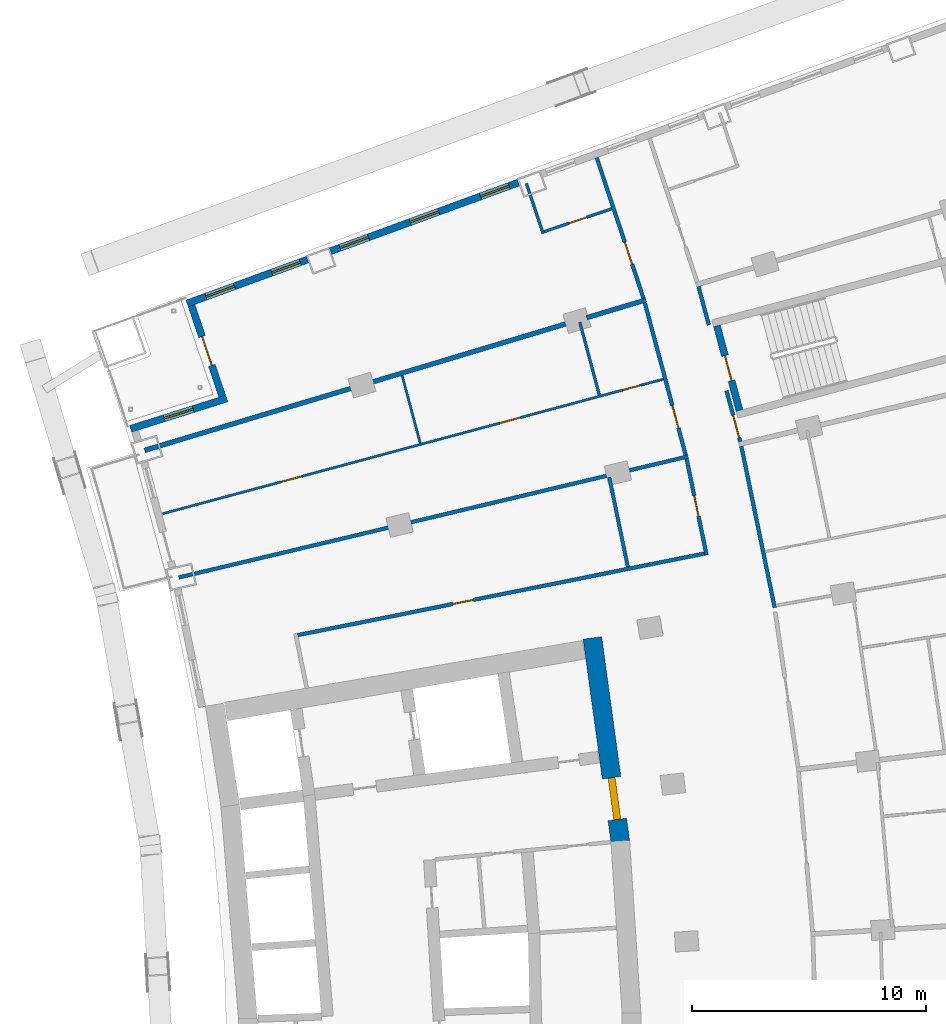
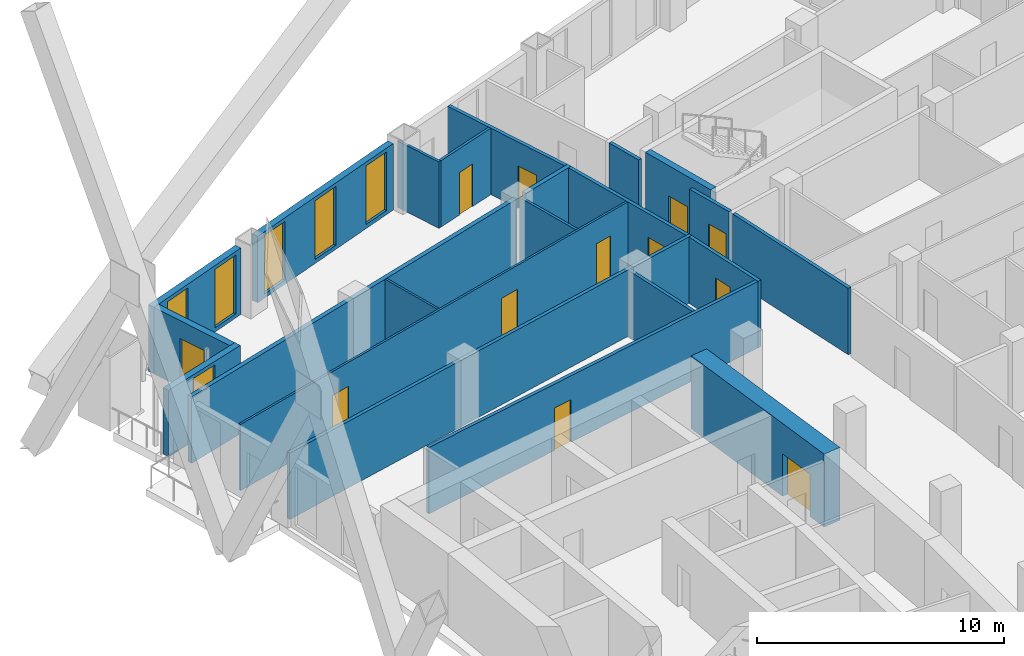
# One storey, part 17 of 24: 22 walls, 12 doors, 6 windows, 18 openings.
"""IFC4 building model written with IfcOpenShell, lengths in metres."""

from ifc_helpers import new_model, si_unit, direction, frame, frame_2d, origin, place, context, subcontext, project, spatial, rectangle, extrude, material, layer, layer_set, type_object, element, fill, save


model = new_model("IFC4")

# Units and contexts
model_context = context("Model", 3, precision=1e-05, world=origin(), true_north=direction((0.0, 1.0)))
body_context = subcontext(model_context, "Body", "Model", "MODEL_VIEW")
ifc_project = project(units=[si_unit("LENGTHUNIT", "METRE"), si_unit("AREAUNIT", "SQUARE_METRE"), si_unit("VOLUMEUNIT", "CUBIC_METRE"), si_unit("PLANEANGLEUNIT", "RADIAN"), si_unit("MASSUNIT", "GRAM", prefix="KILO")], contexts=[model_context])

# Site, building, storey
site_placement = place(None, origin())
site = spatial("IfcSite", under=ifc_project, at=site_placement, CompositionType="ELEMENT")
building_placement = place(site_placement, origin())
building = spatial("IfcBuilding", under=site, at=building_placement, Name="Alderwake Tower", CompositionType="ELEMENT")
storey_placement = place(building_placement, frame((0.0, 0.0, 104.0)))
storey = spatial("IfcBuildingStorey", under=building, at=storey_placement, Name="L25", CompositionType="ELEMENT", Elevation=104.0)

# Wall, opening, door
ifc_material_1 = material(Name="Concrete C70/85", Category="concrete")
ifc_layer_1 = layer(ifc_material_1, 0.800048828125)
ifc_layer_set_1 = layer_set([ifc_layer_1], Name="Core wall outer 800 C70-85")
wall_type_1 = type_object("IfcWallType", Name="Core wall outer 800 C70-85", PredefinedType="SHEAR", material=ifc_layer_set_1)
wall_1_placement = place(storey_placement, frame((31.569580078125, 80.7265625, 0.0), z_axis=(0.0, 0.0, 1.0), x_axis=(0.135838347444, -0.990731014637, 0.0)))
wall_1 = element("IfcWall", 1, at=wall_1_placement, inside=storey, type_object=wall_type_1, Name="Core wall CW.009", PredefinedType="SHEAR", context=body_context, shape_type="SweptSolid", body=[
    extrude(rectangle(XDim=8.788818359375, YDim=0.800048828125, at=frame_2d((4.39453125, 0.0))), origin(), (0.0, 0.0, 1.0), 3.60009765625),
])
opening_1_placement = place(wall_1_placement, frame((6.032958984375, 0.0, 0.0)))
opening_1 = element("IfcOpeningElement", 2, at=opening_1_placement, cuts=wall_1, Name="Opening C001", PredefinedType="OPENING", context=body_context, shape_type="SweptSolid", body=[
    extrude(rectangle(XDim=1.800048828125, YDim=2.10009765625, at=frame_2d((0.89990234375, 1.050048828125))), frame((0.0, 0.409912109375, 0.0), z_axis=(0.0, -1.0, 0.0), x_axis=(1.0, 0.0, 0.0)), (0.0, 0.0, 1.0), 0.820068359375),
])
ifc_material_2 = material(Name="Steel-framed fire door leaves", Category="steel")
door_type_1 = type_object("IfcDoorType", Name="Core double door 1800 fire-rated", OperationType="DOUBLE_DOOR_SINGLE_SWING", PredefinedType="DOOR", material=ifc_material_2)
door_1_placement = place(opening_1_placement, origin())
door_1 = element("IfcDoor", 3, at=door_1_placement, inside=storey, type_object=door_type_1, Name="Lobby double door", OperationType="DOUBLE_DOOR_SINGLE_SWING", OverallHeight=2.10009765625, OverallWidth=1.800048828125, PredefinedType="DOOR", context=body_context, shape_type="SweptSolid", body=[
    extrude(rectangle(XDim=1.800048828125, YDim=2.10009765625, at=frame_2d((0.89990234375, 1.050048828125))), frame((0.0, 0.14990234375, 0.0), z_axis=(0.0, -1.0, 0.0), x_axis=(1.0, 0.0, 0.0)), (0.0, 0.0, 1.0), 0.300048828125),
])
fill(opening_1, door_1)

ifc_material_3 = material(Name="Concrete C70/85", Category="concrete")
ifc_layer_2 = layer(ifc_material_3, 0.300048828125)
ifc_layer_set_2 = layer_set([ifc_layer_2], Name="Core wall stair enclosure 300 C70-85")
wall_type_2 = type_object("IfcWallType", Name="Core wall stair enclosure 300 C70-85", PredefinedType="SHEAR", material=ifc_layer_set_2)
wall_2_placement = place(storey_placement, frame((37.8603515625, 90.452392578125, 0.0), z_axis=(0.0, 0.0, 1.0), x_axis=(-0.257411420208, 0.966301899381, 0.0)))
wall_2 = element("IfcWall", 4, at=wall_2_placement, inside=storey, type_object=wall_type_2, Name="Core wall CW.083", PredefinedType="SHEAR", context=body_context, shape_type="SweptSolid", body=[
    extrude(rectangle(XDim=3.750244140625, YDim=0.300048828125, at=frame_2d((1.875, 0.0))), origin(), (0.0, 0.0, 1.0), 3.60009765625),
])
opening_2_placement = place(wall_2_placement, frame((1.324951171875, 0.0, 0.0)))
opening_2 = element("IfcOpeningElement", 5, at=opening_2_placement, cuts=wall_2, Name="Opening C062", PredefinedType="OPENING", context=body_context, shape_type="SweptSolid", body=[
    extrude(rectangle(XDim=1.10009765625, YDim=2.10009765625, at=frame_2d((0.550048828125, 1.050048828125))), frame((0.0, 0.159912109375, 0.0), z_axis=(0.0, -1.0, 0.0), x_axis=(1.0, 0.0, 0.0)), (0.0, 0.0, 1.0), 0.320068359375),
])
ifc_material_4 = material(Name="Steel-framed fire door leaf", Category="steel")
door_type_2 = type_object("IfcDoorType", Name="Core stair door 1100 fire-rated", OperationType="SINGLE_SWING_LEFT", PredefinedType="DOOR", material=ifc_material_4)
door_2_placement = place(opening_2_placement, origin())
door_2 = element("IfcDoor", 6, at=door_2_placement, inside=storey, type_object=door_type_2, Name="Stair door", OperationType="SINGLE_SWING_RIGHT", OverallHeight=2.10009765625, OverallWidth=1.10009765625, PredefinedType="DOOR", context=body_context, shape_type="SweptSolid", body=[
    extrude(rectangle(XDim=1.10009765625, YDim=2.10009765625, at=frame_2d((0.550048828125, 1.050048828125))), frame((0.0, 0.02490234375, 0.0), z_axis=(0.0, -1.0, 0.0), x_axis=(1.0, 0.0, 0.0)), (0.0, 0.0, 1.0), 0.050048828125),
])
fill(opening_2, door_2)

# Wall
ifc_material_5 = material(Name="Gypsum board on metal studs, rated")
ifc_layer_3 = layer(ifc_material_5, 0.159912109375)
ifc_layer_set_3 = layer_set([ifc_layer_3], Name="Corridor wall 160")
wall_type_3 = type_object("IfcWallType", Name="Corridor wall 160", PredefinedType="PARTITIONING", material=ifc_layer_set_3)
wall_3_placement = place(storey_placement, frame((13.884033203125, 83.31298828125, 0.0), z_axis=(0.0, 0.0, 1.0), x_axis=(0.972893462073, 0.231253781493, 0.0)))
element("IfcWall", 7, at=wall_3_placement, inside=storey, type_object=wall_type_3, Name="WL/L25/W17", PredefinedType="PARTITIONING", context=body_context, shape_type="SweptSolid", body=[
    extrude(rectangle(XDim=22.38037109375, YDim=0.159912109375, at=frame_2d((11.190185546875, 0.0))), origin(), (0.0, 0.0, 1.0), 3.280029296875),
])

# Wall, opening, door
wall_4_placement = place(storey_placement, frame((33.75146484375, 95.2548828125, 0.0), z_axis=(0.0, 0.0, 1.0), x_axis=(-0.315406156735, 0.948956772616, 0.0)))
wall_4 = element("IfcWall", 8, at=wall_4_placement, inside=storey, type_object=wall_type_3, Name="WL/L25/W21", PredefinedType="PARTITIONING", context=body_context, shape_type="SweptSolid", body=[
    extrude(rectangle(XDim=6.330078125, YDim=0.159912109375, at=frame_2d((3.1650390625, 0.0))), origin(), (0.0, 0.0, 1.0), 3.280029296875),
])
opening_3_placement = place(wall_4_placement, frame((1.529052734375, 0.0, 0.0)))
opening_3 = element("IfcOpeningElement", 9, at=opening_3_placement, cuts=wall_4, Name="Opening R07-U13.1", PredefinedType="OPENING", context=body_context, shape_type="SweptSolid", body=[
    extrude(rectangle(XDim=1.0, YDim=2.10009765625, at=frame_2d((0.5, 1.050048828125))), frame((0.0, 0.08984375, 0.0), z_axis=(0.0, -1.0, 0.0), x_axis=(1.0, 0.0, 0.0)), (0.0, 0.0, 1.0), 0.179931640625),
])
ifc_material_6 = material(Name="Solid timber leaf in steel frame", Category="steel")
door_type_3 = type_object("IfcDoorType", Name="Flat entrance door 1000 fire-rated", OperationType="SINGLE_SWING_LEFT", PredefinedType="DOOR", material=ifc_material_6)
door_3_placement = place(opening_3_placement, origin())
door_3 = element("IfcDoor", 10, at=door_3_placement, inside=storey, type_object=door_type_3, Name="DR/L25/U13.1", OperationType="SINGLE_SWING_LEFT", OverallHeight=2.10009765625, OverallWidth=1.0, PredefinedType="DOOR", context=body_context, shape_type="SweptSolid", body=[
    extrude(rectangle(XDim=1.0, YDim=2.10009765625, at=frame_2d((0.5, 1.050048828125))), frame((0.0, 0.02490234375, 0.0), z_axis=(0.0, -1.0, 0.0), x_axis=(1.0, 0.0, 0.0)), (0.0, 0.0, 1.0), 0.050048828125),
])
fill(opening_3, door_3)

wall_5_placement = place(storey_placement, frame((35.55908203125, 88.54736328125, 0.0), z_axis=(0.0, 0.0, 1.0), x_axis=(-0.259373900693, 0.965776982351, 0.0)))
wall_5 = element("IfcWall", 11, at=wall_5_placement, inside=storey, type_object=wall_type_3, Name="WL/L25/W24", PredefinedType="PARTITIONING", context=body_context, shape_type="SweptSolid", body=[
    extrude(rectangle(XDim=6.7470703125, YDim=0.159912109375, at=frame_2d((3.37353515625, 0.0))), origin(), (0.0, 0.0, 1.0), 3.280029296875),
])
opening_4_placement = place(wall_5_placement, frame((1.191650390625, 0.0, 0.0)))
opening_4 = element("IfcOpeningElement", 12, at=opening_4_placement, cuts=wall_5, Name="Opening R07-U12.2", PredefinedType="OPENING", context=body_context, shape_type="SweptSolid", body=[
    extrude(rectangle(XDim=1.0, YDim=2.10009765625, at=frame_2d((0.5, 1.050048828125))), frame((0.0, 0.08984375, 0.0), z_axis=(0.0, -1.0, 0.0), x_axis=(1.0, 0.0, 0.0)), (0.0, 0.0, 1.0), 0.179931640625),
])
door_4_placement = place(opening_4_placement, origin())
door_4 = element("IfcDoor", 13, at=door_4_placement, inside=storey, type_object=door_type_3, Name="DR/L25/U12.2", OperationType="SINGLE_SWING_LEFT", OverallHeight=2.10009765625, OverallWidth=1.0, PredefinedType="DOOR", context=body_context, shape_type="SweptSolid", body=[
    extrude(rectangle(XDim=1.0, YDim=2.10009765625, at=frame_2d((0.5, 1.050048828125))), frame((0.0, 0.02490234375, 0.0), z_axis=(0.0, -1.0, 0.0), x_axis=(1.0, 0.0, 0.0)), (0.0, 0.0, 1.0), 0.050048828125),
])
fill(opening_4, door_4)

wall_6_placement = place(storey_placement, frame((36.451416015625, 84.272705078125, 0.0), z_axis=(0.0, 0.0, 1.0), x_axis=(-0.20329833965, 0.979116839348, 0.0)))
wall_6 = element("IfcWall", 14, at=wall_6_placement, inside=storey, type_object=wall_type_3, Name="WL/L25/W26", PredefinedType="PARTITIONING", context=body_context, shape_type="SweptSolid", body=[
    extrude(rectangle(XDim=4.206787109375, YDim=0.159912109375, at=frame_2d((2.103515625, 0.0))), origin(), (0.0, 0.0, 1.0), 3.280029296875),
])
opening_5_placement = place(wall_6_placement, frame((1.69287109375, 0.0, 0.0)))
opening_5 = element("IfcOpeningElement", 15, at=opening_5_placement, cuts=wall_6, Name="Opening R07-SBN2", PredefinedType="OPENING", context=body_context, shape_type="SweptSolid", body=[
    extrude(rectangle(XDim=0.89990234375, YDim=2.10009765625, at=frame_2d((0.449951171875, 1.050048828125))), frame((0.0, 0.08984375, 0.0), z_axis=(0.0, -1.0, 0.0), x_axis=(1.0, 0.0, 0.0)), (0.0, 0.0, 1.0), 0.179931640625),
])
ifc_material_7 = material(Name="Painted timber leaf", Category="wood")
door_type_4 = type_object("IfcDoorType", Name="Room door 900", OperationType="SINGLE_SWING_LEFT", PredefinedType="DOOR", material=ifc_material_7)
door_5_placement = place(opening_5_placement, origin())
door_5 = element("IfcDoor", 16, at=door_5_placement, inside=storey, type_object=door_type_4, Name="DR/L25/SBN2", OperationType="SINGLE_SWING_LEFT", OverallHeight=2.10009765625, OverallWidth=0.89990234375, PredefinedType="DOOR", context=body_context, shape_type="SweptSolid", body=[
    extrude(rectangle(XDim=0.89990234375, YDim=2.10009765625, at=frame_2d((0.449951171875, 1.050048828125))), frame((0.0, 0.02490234375, 0.0), z_axis=(0.0, -1.0, 0.0), x_axis=(1.0, 0.0, 0.0)), (0.0, 0.0, 1.0), 0.050048828125),
])
fill(opening_5, door_5)

wall_7_placement = place(storey_placement, frame((18.969482421875, 80.84765625, 0.0), z_axis=(0.0, 0.0, 1.0), x_axis=(0.980470914622, 0.196664144112, 0.0)))
wall_7 = element("IfcWall", 17, at=wall_7_placement, inside=storey, type_object=wall_type_3, Name="WL/L25/W30", PredefinedType="PARTITIONING", context=body_context, shape_type="SweptSolid", body=[
    extrude(rectangle(XDim=17.733642578125, YDim=0.159912109375, at=frame_2d((8.86669921875, 0.0))), origin(), (0.0, 0.0, 1.0), 3.280029296875),
])
opening_6_placement = place(wall_7_placement, frame((6.756591796875, 0.0, 0.0)))
opening_6 = element("IfcOpeningElement", 18, at=opening_6_placement, cuts=wall_7, Name="Opening R07-SBN1", PredefinedType="OPENING", context=body_context, shape_type="SweptSolid", body=[
    extrude(rectangle(XDim=0.89990234375, YDim=2.10009765625, at=frame_2d((0.449951171875, 1.050048828125))), frame((0.0, 0.08984375, 0.0), z_axis=(0.0, -1.0, 0.0), x_axis=(1.0, 0.0, 0.0)), (0.0, 0.0, 1.0), 0.179931640625),
])
door_6_placement = place(opening_6_placement, origin())
door_6 = element("IfcDoor", 19, at=door_6_placement, inside=storey, type_object=door_type_4, Name="DR/L25/SBN1", OperationType="SINGLE_SWING_LEFT", OverallHeight=2.10009765625, OverallWidth=0.89990234375, PredefinedType="DOOR", context=body_context, shape_type="SweptSolid", body=[
    extrude(rectangle(XDim=0.89990234375, YDim=2.10009765625, at=frame_2d((0.449951171875, 1.050048828125))), frame((0.0, 0.02490234375, 0.0), z_axis=(0.0, -1.0, 0.0), x_axis=(1.0, 0.0, 0.0)), (0.0, 0.0, 1.0), 0.050048828125),
])
fill(opening_6, door_6)

# Wall
wall_8_placement = place(storey_placement, frame((36.549072265625, 94.110107421875, 0.0), z_axis=(0.0, 0.0, 1.0), x_axis=(-0.259813977097, 0.965658685719, 0.0)))
element("IfcWall", 20, at=wall_8_placement, inside=storey, type_object=wall_type_3, Name="WL/L25/W31", PredefinedType="PARTITIONING", context=body_context, shape_type="SweptSolid", body=[
    extrude(rectangle(XDim=1.70166015625, YDim=0.159912109375, at=frame_2d((0.850830078125, 0.0))), origin(), (0.0, 0.0, 1.0), 3.280029296875),
])

# Wall, opening, door
wall_9_placement = place(storey_placement, frame((37.304931640625, 91.299072265625, 0.0), z_axis=(0.0, 0.0, 1.0), x_axis=(0.259946294884, -0.965623075416, 0.0)))
wall_9 = element("IfcWall", 21, at=wall_9_placement, inside=storey, type_object=wall_type_3, Name="WL/L25/W34", PredefinedType="PARTITIONING", context=body_context, shape_type="SweptSolid", body=[
    extrude(rectangle(XDim=2.255126953125, YDim=0.159912109375, at=frame_2d((1.12744140625, 0.0))), origin(), (0.0, 0.0, 1.0), 3.280029296875),
])
opening_7_placement = place(wall_9_placement, frame((1.083984375, 0.0, 0.0)))
opening_7 = element("IfcOpeningElement", 22, at=opening_7_placement, cuts=wall_9, Name="Opening R07-U02.1", PredefinedType="OPENING", context=body_context, shape_type="SweptSolid", body=[
    extrude(rectangle(XDim=1.0, YDim=2.10009765625, at=frame_2d((0.5, 1.050048828125))), frame((0.0, 0.08984375, 0.0), z_axis=(0.0, -1.0, 0.0), x_axis=(1.0, 0.0, 0.0)), (0.0, 0.0, 1.0), 0.179931640625),
])
door_7_placement = place(opening_7_placement, origin())
door_7 = element("IfcDoor", 23, at=door_7_placement, inside=storey, type_object=door_type_3, Name="DR/L25/U02.1", OperationType="SINGLE_SWING_LEFT", OverallHeight=2.10009765625, OverallWidth=1.0, PredefinedType="DOOR", context=body_context, shape_type="SweptSolid", body=[
    extrude(rectangle(XDim=1.0, YDim=2.10009765625, at=frame_2d((0.5, 1.050048828125))), frame((0.0, 0.02490234375, 0.0), z_axis=(0.0, -1.0, 0.0), x_axis=(1.0, 0.0, 0.0)), (0.0, 0.0, 1.0), 0.050048828125),
])
fill(opening_7, door_7)

# Wall
wall_10_placement = place(storey_placement, frame((39.3642578125, 82.022705078125, 0.0), z_axis=(0.0, 0.0, 1.0), x_axis=(-0.20240521091, 0.979301858773, 0.0)))
element("IfcWall", 24, at=wall_10_placement, inside=storey, type_object=wall_type_3, Name="WL/L25/W36", PredefinedType="PARTITIONING", context=body_context, shape_type="SweptSolid", body=[
    extrude(rectangle(XDim=7.05029296875, YDim=0.159912109375, at=frame_2d((3.525146484375, 0.0))), origin(), (0.0, 0.0, 1.0), 3.280029296875),
])

# Wall, openings, windows
ifc_material_8 = material(Name="Bronze metal cladding on lightweight framing")
ifc_layer_4 = layer(ifc_material_8, 0.300048828125)
ifc_layer_set_4 = layer_set([ifc_layer_4], Name="External wall EW2 bronze metal cladding")
wall_type_4 = type_object("IfcWallType", Name="External wall EW2 bronze metal cladding", PredefinedType="SOLIDWALL", material=ifc_layer_set_4)
wall_11_placement = place(storey_placement, frame((28.402587890625, 100.197509765625, 0.0), z_axis=(0.0, 0.0, 1.0), x_axis=(-0.939364770023, -0.342919566137, 0.0)))
wall_11 = element("IfcWall", 25, at=wall_11_placement, inside=storey, type_object=wall_type_4, Name="External wall 28", PredefinedType="SOLIDWALL", context=body_context, shape_type="SweptSolid", body=[
    extrude(rectangle(XDim=8.54541015625, YDim=0.300048828125, at=frame_2d((4.272705078125, 0.0))), origin(), (0.0, 0.0, 1.0), 3.280029296875),
])
opening_8_placement = place(wall_11_placement, frame((0.4228515625, 0.0, 0.199951171875)))
opening_8 = element("IfcOpeningElement", 26, at=opening_8_placement, cuts=wall_11, Name="Opening W1", PredefinedType="OPENING", context=body_context, shape_type="SweptSolid", body=[
    extrude(rectangle(XDim=1.300048828125, YDim=2.89990234375, at=frame_2d((0.64990234375, 1.449951171875))), frame((0.0, 0.159912109375, 0.0), z_axis=(0.0, -1.0, 0.0), x_axis=(1.0, 0.0, 0.0)), (0.0, 0.0, 1.0), 0.320068359375),
])
opening_9_placement = place(wall_11_placement, frame((3.622802734375, 0.0, 0.199951171875)))
opening_9 = element("IfcOpeningElement", 27, at=opening_9_placement, cuts=wall_11, Name="Opening W1", PredefinedType="OPENING", context=body_context, shape_type="SweptSolid", body=[
    extrude(rectangle(XDim=1.300048828125, YDim=2.89990234375, at=frame_2d((0.64990234375, 1.449951171875))), frame((0.0, 0.159912109375, 0.0), z_axis=(0.0, -1.0, 0.0), x_axis=(1.0, 0.0, 0.0)), (0.0, 0.0, 1.0), 0.320068359375),
])
opening_10_placement = place(wall_11_placement, frame((6.822998046875, 0.0, 0.199951171875)))
opening_10 = element("IfcOpeningElement", 28, at=opening_10_placement, cuts=wall_11, Name="Opening W1", PredefinedType="OPENING", context=body_context, shape_type="SweptSolid", body=[
    extrude(rectangle(XDim=1.300048828125, YDim=2.89990234375, at=frame_2d((0.64990234375, 1.449951171875))), frame((0.0, 0.159912109375, 0.0), z_axis=(0.0, -1.0, 0.0), x_axis=(1.0, 0.0, 0.0)), (0.0, 0.0, 1.0), 0.320068359375),
])
ifc_material_9 = material(Name="Bronze tinted glass in aluminium frame", Category="aluminium")
window_type = type_object("IfcWindowType", Name="Window W1 tall fixed and vent", PartitioningType="DOUBLE_PANEL_VERTICAL", PredefinedType="WINDOW", material=ifc_material_9)
window_1_placement = place(opening_8_placement, origin())
window_1 = element("IfcWindow", 29, at=window_1_placement, inside=storey, type_object=window_type, Name="Window W1 tall fixed and vent", OverallHeight=2.89990234375, OverallWidth=1.300048828125, PartitioningType="DOUBLE_PANEL_VERTICAL", PredefinedType="WINDOW", context=body_context, shape_type="SweptSolid", body=[
    extrude(rectangle(XDim=1.300048828125, YDim=2.89990234375, at=frame_2d((0.64990234375, 1.449951171875))), frame((0.0, 0.030029296875, 0.0), z_axis=(0.0, -1.0, 0.0), x_axis=(1.0, 0.0, 0.0)), (0.0, 0.0, 1.0), 0.06005859375),
])
fill(opening_8, window_1)
window_2_placement = place(opening_9_placement, origin())
window_2 = element("IfcWindow", 30, at=window_2_placement, inside=storey, type_object=window_type, Name="Window W1 tall fixed and vent", OverallHeight=2.89990234375, OverallWidth=1.300048828125, PartitioningType="DOUBLE_PANEL_VERTICAL", PredefinedType="WINDOW", context=body_context, shape_type="SweptSolid", body=[
    extrude(rectangle(XDim=1.300048828125, YDim=2.89990234375, at=frame_2d((0.64990234375, 1.449951171875))), frame((0.0, 0.030029296875, 0.0), z_axis=(0.0, -1.0, 0.0), x_axis=(1.0, 0.0, 0.0)), (0.0, 0.0, 1.0), 0.06005859375),
])
fill(opening_9, window_2)
window_3_placement = place(opening_10_placement, origin())
window_3 = element("IfcWindow", 31, at=window_3_placement, inside=storey, type_object=window_type, Name="Window W1 tall fixed and vent", OverallHeight=2.89990234375, OverallWidth=1.300048828125, PartitioningType="DOUBLE_PANEL_VERTICAL", PredefinedType="WINDOW", context=body_context, shape_type="SweptSolid", body=[
    extrude(rectangle(XDim=1.300048828125, YDim=2.89990234375, at=frame_2d((0.64990234375, 1.449951171875))), frame((0.0, 0.030029296875, 0.0), z_axis=(0.0, -1.0, 0.0), x_axis=(1.0, 0.0, 0.0)), (0.0, 0.0, 1.0), 0.06005859375),
])
fill(opening_10, window_3)

wall_12_placement = place(storey_placement, frame((19.38427734375, 96.905517578125, 0.0), z_axis=(0.0, 0.0, 1.0), x_axis=(-0.939366897407, -0.342913738506, 0.0)))
wall_12 = element("IfcWall", 32, at=wall_12_placement, inside=storey, type_object=wall_type_4, Name="External wall 29", PredefinedType="SOLIDWALL", context=body_context, shape_type="SweptSolid", body=[
    extrude(rectangle(XDim=5.474365234375, YDim=0.300048828125, at=frame_2d((2.7373046875, 0.0))), origin(), (0.0, 0.0, 1.0), 3.280029296875),
])
opening_11_placement = place(wall_12_placement, frame((0.322998046875, 0.0, 0.199951171875)))
opening_11 = element("IfcOpeningElement", 33, at=opening_11_placement, cuts=wall_12, Name="Opening W1", PredefinedType="OPENING", context=body_context, shape_type="SweptSolid", body=[
    extrude(rectangle(XDim=1.300048828125, YDim=2.89990234375, at=frame_2d((0.64990234375, 1.449951171875))), frame((0.0, 0.159912109375, 0.0), z_axis=(0.0, -1.0, 0.0), x_axis=(1.0, 0.0, 0.0)), (0.0, 0.0, 1.0), 0.320068359375),
])
opening_12_placement = place(wall_12_placement, frame((3.32373046875, 0.0, 0.199951171875)))
opening_12 = element("IfcOpeningElement", 34, at=opening_12_placement, cuts=wall_12, Name="Opening W1", PredefinedType="OPENING", context=body_context, shape_type="SweptSolid", body=[
    extrude(rectangle(XDim=1.300048828125, YDim=2.89990234375, at=frame_2d((0.64990234375, 1.449951171875))), frame((0.0, 0.159912109375, 0.0), z_axis=(0.0, -1.0, 0.0), x_axis=(1.0, 0.0, 0.0)), (0.0, 0.0, 1.0), 0.320068359375),
])
window_4_placement = place(opening_11_placement, origin())
window_4 = element("IfcWindow", 35, at=window_4_placement, inside=storey, type_object=window_type, Name="Window W1 tall fixed and vent", OverallHeight=2.89990234375, OverallWidth=1.300048828125, PartitioningType="DOUBLE_PANEL_VERTICAL", PredefinedType="WINDOW", context=body_context, shape_type="SweptSolid", body=[
    extrude(rectangle(XDim=1.300048828125, YDim=2.89990234375, at=frame_2d((0.64990234375, 1.449951171875))), frame((0.0, 0.030029296875, 0.0), z_axis=(0.0, -1.0, 0.0), x_axis=(1.0, 0.0, 0.0)), (0.0, 0.0, 1.0), 0.06005859375),
])
fill(opening_11, window_4)
window_5_placement = place(opening_12_placement, origin())
window_5 = element("IfcWindow", 36, at=window_5_placement, inside=storey, type_object=window_type, Name="Window W1 tall fixed and vent", OverallHeight=2.89990234375, OverallWidth=1.300048828125, PartitioningType="DOUBLE_PANEL_VERTICAL", PredefinedType="WINDOW", context=body_context, shape_type="SweptSolid", body=[
    extrude(rectangle(XDim=1.300048828125, YDim=2.89990234375, at=frame_2d((0.64990234375, 1.449951171875))), frame((0.0, 0.030029296875, 0.0), z_axis=(0.0, -1.0, 0.0), x_axis=(1.0, 0.0, 0.0)), (0.0, 0.0, 1.0), 0.06005859375),
])
fill(opening_12, window_5)

# Wall, opening, door
wall_13_placement = place(storey_placement, frame((14.430908203125, 94.937744140625, 0.0), z_axis=(0.0, 0.0, 1.0), x_axis=(0.320379458656, -0.947289291859, 0.0)))
wall_13 = element("IfcWall", 37, at=wall_13_placement, inside=storey, type_object=wall_type_4, Name="External wall 30", PredefinedType="SOLIDWALL", context=body_context, shape_type="SweptSolid", body=[
    extrude(rectangle(XDim=4.08984375, YDim=0.300048828125, at=frame_2d((2.044921875, 0.0))), origin(), (0.0, 0.0, 1.0), 3.280029296875),
])
opening_13_placement = place(wall_13_placement, frame((1.39501953125, 0.0, 0.0)))
opening_13 = element("IfcOpeningElement", 38, at=opening_13_placement, cuts=wall_13, Name="Opening D13", PredefinedType="OPENING", context=body_context, shape_type="SweptSolid", body=[
    extrude(rectangle(XDim=1.300048828125, YDim=2.39990234375, at=frame_2d((0.64990234375, 1.199951171875))), frame((0.0, 0.159912109375, 0.0), z_axis=(0.0, -1.0, 0.0), x_axis=(1.0, 0.0, 0.0)), (0.0, 0.0, 1.0), 0.320068359375),
])
ifc_material_10 = material(Name="Bronze tinted glass in aluminium frame", Category="aluminium")
door_type_5 = type_object("IfcDoorType", Name="Balcony door BD sliding", OperationType="SLIDING_TO_LEFT", PredefinedType="DOOR", material=ifc_material_10)
door_8_placement = place(opening_13_placement, origin())
door_8 = element("IfcDoor", 39, at=door_8_placement, inside=storey, type_object=door_type_5, Name="Door D13", OperationType="SLIDING_TO_LEFT", OverallHeight=2.39990234375, OverallWidth=1.300048828125, PredefinedType="DOOR", context=body_context, shape_type="SweptSolid", body=[
    extrude(rectangle(XDim=1.300048828125, YDim=2.39990234375, at=frame_2d((0.64990234375, 1.199951171875))), frame((0.0, 0.02490234375, 0.0), z_axis=(0.0, -1.0, 0.0), x_axis=(1.0, 0.0, 0.0)), (0.0, 0.0, 1.0), 0.050048828125),
])
fill(opening_13, door_8)

# Wall, opening, window
wall_14_placement = place(storey_placement, frame((15.932373046875, 90.966552734375, 0.0), z_axis=(0.0, 0.0, 1.0), x_axis=(-0.953473772386, -0.301475978103, 0.0)))
wall_14 = element("IfcWall", 40, at=wall_14_placement, inside=storey, type_object=wall_type_4, Name="External wall 31", PredefinedType="SOLIDWALL", context=body_context, shape_type="SweptSolid", body=[
    extrude(rectangle(XDim=4.305908203125, YDim=0.300048828125, at=frame_2d((2.15283203125, 0.0))), origin(), (0.0, 0.0, 1.0), 3.280029296875),
])
opening_14_placement = place(wall_14_placement, frame((1.5029296875, 0.0, 0.199951171875)))
opening_14 = element("IfcOpeningElement", 41, at=opening_14_placement, cuts=wall_14, Name="Opening W1", PredefinedType="OPENING", context=body_context, shape_type="SweptSolid", body=[
    extrude(rectangle(XDim=1.300048828125, YDim=2.89990234375, at=frame_2d((0.64990234375, 1.449951171875))), frame((0.0, 0.159912109375, 0.0), z_axis=(0.0, -1.0, 0.0), x_axis=(1.0, 0.0, 0.0)), (0.0, 0.0, 1.0), 0.320068359375),
])
window_6_placement = place(opening_14_placement, origin())
window_6 = element("IfcWindow", 42, at=window_6_placement, inside=storey, type_object=window_type, Name="Window W1 tall fixed and vent", OverallHeight=2.89990234375, OverallWidth=1.300048828125, PartitioningType="DOUBLE_PANEL_VERTICAL", PredefinedType="WINDOW", context=body_context, shape_type="SweptSolid", body=[
    extrude(rectangle(XDim=1.300048828125, YDim=2.89990234375, at=frame_2d((0.64990234375, 1.449951171875))), frame((0.0, 0.030029296875, 0.0), z_axis=(0.0, -1.0, 0.0), x_axis=(1.0, 0.0, 0.0)), (0.0, 0.0, 1.0), 0.06005859375),
])
fill(opening_14, window_6)

# Walls
ifc_material_11 = material(Name="Dense block masonry wall", Category="masonry")
ifc_layer_5 = layer(ifc_material_11, 0.199951171875)
ifc_layer_set_5 = layer_set([ifc_layer_5], Name="Party wall 200")
wall_type_5 = type_object("IfcWallType", Name="Party wall 200", PredefinedType="SOLIDWALL", material=ifc_layer_set_5)
wall_15_placement = place(storey_placement, frame((30.812744140625, 94.270751953125, 0.0), z_axis=(0.0, 0.0, 1.0), x_axis=(-0.957756965565, -0.287578849904, 0.0)))
element("IfcWall", 43, at=wall_15_placement, inside=storey, type_object=wall_type_5, Name="WL/L25/W01", PredefinedType="SOLIDWALL", context=body_context, shape_type="SweptSolid", body=[
    extrude(rectangle(XDim=19.20068359375, YDim=0.199951171875, at=frame_2d((9.600341796875, 0.0))), origin(), (0.0, 0.0, 1.0), 3.280029296875),
])
wall_16_placement = place(storey_placement, frame((33.859619140625, 95.18310546875, 0.0), z_axis=(0.0, 0.0, 1.0), x_axis=(-0.957762803886, -0.287559405153, 0.0)))
element("IfcWall", 44, at=wall_16_placement, inside=storey, type_object=wall_type_5, Name="WL/L25/W04", PredefinedType="SOLIDWALL", context=body_context, shape_type="SweptSolid", body=[
    extrude(rectangle(XDim=2.647216796875, YDim=0.199951171875, at=frame_2d((1.32373046875, 0.0))), origin(), (0.0, 0.0, 1.0), 3.280029296875),
])
ifc_material_12 = material(Name="Gypsum shaft wall system, rated")
ifc_layer_6 = layer(ifc_material_12, 0.14990234375)
ifc_layer_set_6 = layer_set([ifc_layer_6], Name="Riser and shaft wall 150")
wall_type_6 = type_object("IfcWallType", Name="Riser and shaft wall 150", PredefinedType="PARTITIONING", material=ifc_layer_set_6)
wall_17_placement = place(storey_placement, frame((33.085693359375, 83.76025390625, 0.0), z_axis=(0.0, 0.0, 1.0), x_axis=(-0.2025562632, 0.97927062666, 0.0)))
element("IfcWall", 45, at=wall_17_placement, inside=storey, type_object=wall_type_6, Name="WL/L25/W13", PredefinedType="PARTITIONING", context=body_context, shape_type="SweptSolid", body=[
    extrude(rectangle(XDim=3.9267578125, YDim=0.14990234375, at=frame_2d((1.96337890625, 0.0))), origin(), (0.0, 0.0, 1.0), 3.280029296875),
])

# Wall, openings, doors
ifc_material_13 = material(Name="Gypsum board on metal studs")
ifc_layer_7 = layer(ifc_material_13, 0.10009765625)
ifc_layer_set_7 = layer_set([ifc_layer_7], Name="Unit partition 100")
wall_type_7 = type_object("IfcWallType", Name="Unit partition 100", PredefinedType="PARTITIONING", material=ifc_layer_set_7)
wall_18_placement = place(storey_placement, frame((13.194091796875, 86.0400390625, 0.0), z_axis=(0.0, 0.0, 1.0), x_axis=(0.965734733826, 0.259531161679, 0.0)))
wall_18 = element("IfcWall", 46, at=wall_18_placement, inside=storey, type_object=wall_type_7, Name="WL/L25/W68", PredefinedType="PARTITIONING", context=body_context, shape_type="SweptSolid", body=[
    extrude(rectangle(XDim=22.17138671875, YDim=0.10009765625, at=frame_2d((11.085693359375, 0.0))), origin(), (0.0, 0.0, 1.0), 3.280029296875),
])
opening_15_placement = place(wall_18_placement, frame((14.935791015625, 0.0, 0.0)))
opening_15 = element("IfcOpeningElement", 47, at=opening_15_placement, cuts=wall_18, Name="Opening R07-U12.1", PredefinedType="OPENING", context=body_context, shape_type="SweptSolid", body=[
    extrude(rectangle(XDim=0.89990234375, YDim=2.10009765625, at=frame_2d((0.449951171875, 1.050048828125))), frame((0.0, 0.06005859375, 0.0), z_axis=(0.0, -1.0, 0.0), x_axis=(1.0, 0.0, 0.0)), (0.0, 0.0, 1.0), 0.1201171875),
])
opening_16_placement = place(wall_18_placement, frame((20.361328125, 0.0, 0.0)))
opening_16 = element("IfcOpeningElement", 48, at=opening_16_placement, cuts=wall_18, Name="Opening R07-U12.3", PredefinedType="OPENING", context=body_context, shape_type="SweptSolid", body=[
    extrude(rectangle(XDim=0.800048828125, YDim=2.10009765625, at=frame_2d((0.39990234375, 1.050048828125))), frame((0.0, 0.06005859375, 0.0), z_axis=(0.0, -1.0, 0.0), x_axis=(1.0, 0.0, 0.0)), (0.0, 0.0, 1.0), 0.1201171875),
])
opening_17_placement = place(wall_18_placement, frame((5.260498046875, 0.0, 0.0)))
opening_17 = element("IfcOpeningElement", 49, at=opening_17_placement, cuts=wall_18, Name="Opening R07-U12.4", PredefinedType="OPENING", context=body_context, shape_type="SweptSolid", body=[
    extrude(rectangle(XDim=0.89990234375, YDim=2.10009765625, at=frame_2d((0.449951171875, 1.050048828125))), frame((0.0, 0.06005859375, 0.0), z_axis=(0.0, -1.0, 0.0), x_axis=(1.0, 0.0, 0.0)), (0.0, 0.0, 1.0), 0.1201171875),
])
ifc_material_14 = material(Name="Painted timber leaf", Category="wood")
door_type_6 = type_object("IfcDoorType", Name="Bathroom door 800", OperationType="SINGLE_SWING_LEFT", PredefinedType="DOOR", material=ifc_material_14)
door_9_placement = place(opening_16_placement, origin())
door_9 = element("IfcDoor", 50, at=door_9_placement, inside=storey, type_object=door_type_6, Name="DR/L25/U12.3", OperationType="SINGLE_SWING_LEFT", OverallHeight=2.10009765625, OverallWidth=0.800048828125, PredefinedType="DOOR", context=body_context, shape_type="SweptSolid", body=[
    extrude(rectangle(XDim=0.800048828125, YDim=2.10009765625, at=frame_2d((0.39990234375, 1.050048828125))), frame((0.0, 0.02490234375, 0.0), z_axis=(0.0, -1.0, 0.0), x_axis=(1.0, 0.0, 0.0)), (0.0, 0.0, 1.0), 0.050048828125),
])
fill(opening_16, door_9)
door_10_placement = place(opening_15_placement, origin())
door_10 = element("IfcDoor", 51, at=door_10_placement, inside=storey, type_object=door_type_4, Name="DR/L25/U12.1", OperationType="SINGLE_SWING_LEFT", OverallHeight=2.10009765625, OverallWidth=0.89990234375, PredefinedType="DOOR", context=body_context, shape_type="SweptSolid", body=[
    extrude(rectangle(XDim=0.89990234375, YDim=2.10009765625, at=frame_2d((0.449951171875, 1.050048828125))), frame((0.0, 0.02490234375, 0.0), z_axis=(0.0, -1.0, 0.0), x_axis=(1.0, 0.0, 0.0)), (0.0, 0.0, 1.0), 0.050048828125),
])
fill(opening_15, door_10)
door_11_placement = place(opening_17_placement, origin())
door_11 = element("IfcDoor", 52, at=door_11_placement, inside=storey, type_object=door_type_4, Name="DR/L25/U12.4", OperationType="SINGLE_SWING_LEFT", OverallHeight=2.10009765625, OverallWidth=0.89990234375, PredefinedType="DOOR", context=body_context, shape_type="SweptSolid", body=[
    extrude(rectangle(XDim=0.89990234375, YDim=2.10009765625, at=frame_2d((0.449951171875, 1.050048828125))), frame((0.0, 0.02490234375, 0.0), z_axis=(0.0, -1.0, 0.0), x_axis=(1.0, 0.0, 0.0)), (0.0, 0.0, 1.0), 0.050048828125),
])
fill(opening_17, door_11)

# Walls
wall_19_placement = place(storey_placement, frame((23.431884765625, 91.949462890625, 0.0), z_axis=(0.0, 0.0, 1.0), x_axis=(0.259065603162, -0.965859727527, 0.0)))
element("IfcWall", 53, at=wall_19_placement, inside=storey, type_object=wall_type_7, Name="WL/L25/W69", PredefinedType="PARTITIONING", context=body_context, shape_type="SweptSolid", body=[
    extrude(rectangle(XDim=2.99951171875, YDim=0.10009765625, at=frame_2d((1.499755859375, 0.0))), origin(), (0.0, 0.0, 1.0), 3.280029296875),
])
ifc_material_15 = material(Name="Moisture resistant gypsum board on metal studs")
ifc_layer_8 = layer(ifc_material_15, 0.1201171875)
ifc_layer_set_8 = layer_set([ifc_layer_8], Name="Wet room partition 120")
wall_type_8 = type_object("IfcWallType", Name="Wet room partition 120", PredefinedType="PARTITIONING", material=ifc_layer_set_8)
wall_20_placement = place(storey_placement, frame((28.7490234375, 100.1640625, 0.0), z_axis=(0.0, 0.0, 1.0), x_axis=(0.315416394236, -0.948953369901, 0.0)))
element("IfcWall", 54, at=wall_20_placement, inside=storey, type_object=wall_type_8, Name="WL/L25/W44", PredefinedType="PARTITIONING", context=body_context, shape_type="SweptSolid", body=[
    extrude(rectangle(XDim=2.257080078125, YDim=0.1201171875, at=frame_2d((1.12841796875, 0.0))), origin(), (0.0, 0.0, 1.0), 3.280029296875),
])

# Wall, opening, door
wall_21_placement = place(storey_placement, frame((29.498779296875, 98.09814453125, 0.0), z_axis=(0.0, 0.0, 1.0), x_axis=(0.947164130145, 0.320749295505, 0.0)))
wall_21 = element("IfcWall", 55, at=wall_21_placement, inside=storey, type_object=wall_type_8, Name="WL/L25/W46", PredefinedType="PARTITIONING", context=body_context, shape_type="SweptSolid", body=[
    extrude(rectangle(XDim=3.05908203125, YDim=0.1201171875, at=frame_2d((1.529541015625, 0.0))), origin(), (0.0, 0.0, 1.0), 3.280029296875),
])
opening_18_placement = place(wall_21_placement, frame((1.12939453125, 0.0, 0.0)))
opening_18 = element("IfcOpeningElement", 56, at=opening_18_placement, cuts=wall_21, Name="Opening R07-U13.2", PredefinedType="OPENING", context=body_context, shape_type="SweptSolid", body=[
    extrude(rectangle(XDim=0.800048828125, YDim=2.10009765625, at=frame_2d((0.39990234375, 1.050048828125))), frame((0.0, 0.070068359375, 0.0), z_axis=(0.0, -1.0, 0.0), x_axis=(1.0, 0.0, 0.0)), (0.0, 0.0, 1.0), 0.14013671875),
])
door_12_placement = place(opening_18_placement, origin())
door_12 = element("IfcDoor", 57, at=door_12_placement, inside=storey, type_object=door_type_6, Name="DR/L25/U13.2", OperationType="SINGLE_SWING_LEFT", OverallHeight=2.10009765625, OverallWidth=0.800048828125, PredefinedType="DOOR", context=body_context, shape_type="SweptSolid", body=[
    extrude(rectangle(XDim=0.800048828125, YDim=2.10009765625, at=frame_2d((0.39990234375, 1.050048828125))), frame((0.0, 0.02490234375, 0.0), z_axis=(0.0, -1.0, 0.0), x_axis=(1.0, 0.0, 0.0)), (0.0, 0.0, 1.0), 0.050048828125),
])
fill(opening_18, door_12)

# Wall
wall_22_placement = place(storey_placement, frame((31.031005859375, 94.2294921875, 0.0), z_axis=(0.0, 0.0, 1.0), x_axis=(0.259149206489, -0.96583729933, 0.0)))
element("IfcWall", 58, at=wall_22_placement, inside=storey, type_object=wall_type_8, Name="WL/L25/W47", PredefinedType="PARTITIONING", context=body_context, shape_type="SweptSolid", body=[
    extrude(rectangle(XDim=3.2294921875, YDim=0.1201171875, at=frame_2d((1.61474609375, 0.0))), origin(), (0.0, 0.0, 1.0), 3.280029296875),
])

save(model, "model.ifc")
